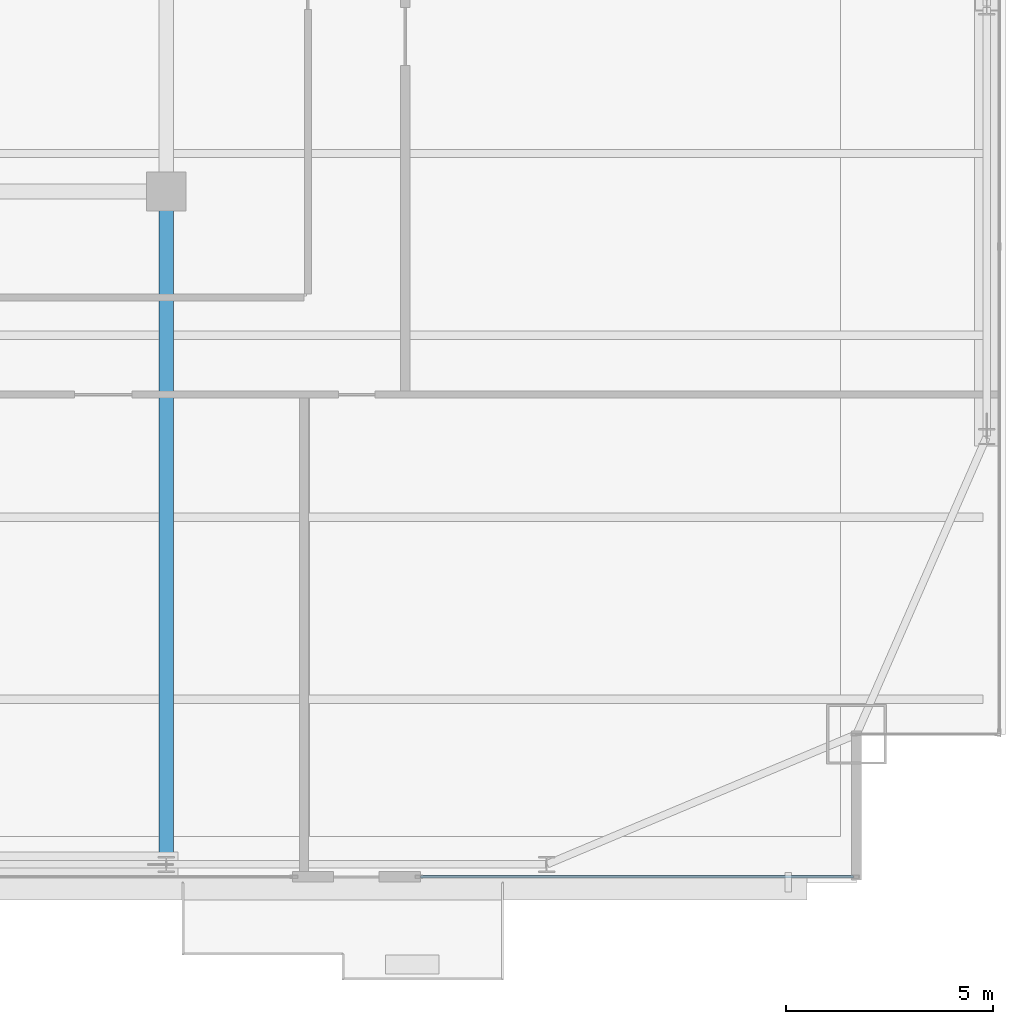
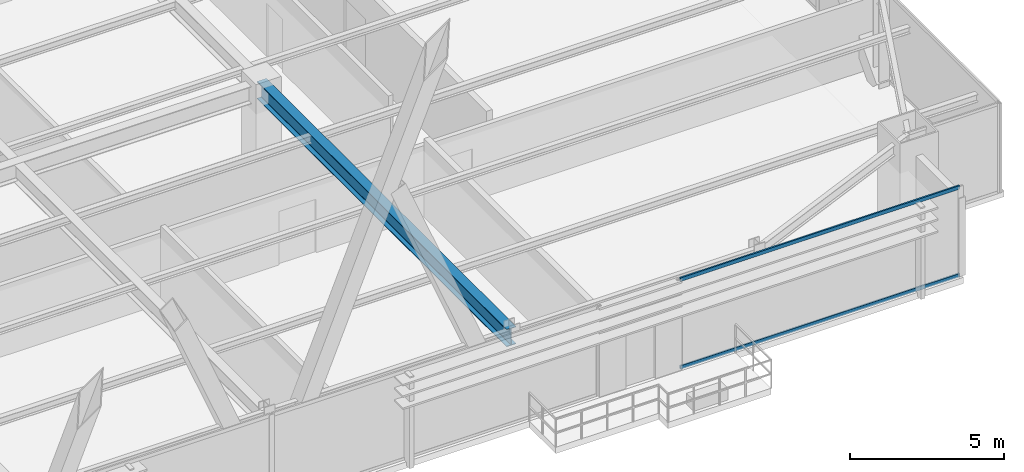
# One storey, part 15 of 38: 2 members, 1 beam, 1 element without a shape of its own.
"""IFC4 building model written with IfcOpenShell, lengths in metres."""

from ifc_helpers import new_model, si_unit, direction, frame, origin, origin_2d, place, context, subcontext, project, spatial, hollow_rectangle, i_section, extrude, source, transform, mapped, material, layer, layer_set, material_profile, profile_set, type_object, type_shapes, element, aggregate, save


model = new_model("IFC4")

# Units and contexts
model_context = context("Model", 3, precision=1e-05, world=origin(), true_north=direction((0.0, 1.0)))
body_context = subcontext(model_context, "Body", "Model", "MODEL_VIEW")
ifc_project = project(units=[si_unit("LENGTHUNIT", "METRE"), si_unit("AREAUNIT", "SQUARE_METRE"), si_unit("VOLUMEUNIT", "CUBIC_METRE"), si_unit("PLANEANGLEUNIT", "RADIAN"), si_unit("MASSUNIT", "GRAM", prefix="KILO")], contexts=[model_context])

# Site, building, storey
site_placement = place(None, origin())
site = spatial("IfcSite", under=ifc_project, at=site_placement, CompositionType="ELEMENT")
building_placement = place(site_placement, origin())
building = spatial("IfcBuilding", under=site, at=building_placement, Name="Varnel Quay Broadcast Tower", CompositionType="ELEMENT")
storey_placement = place(building_placement, frame((0.0, 0.0, 118.199951171875)))
storey = spatial("IfcBuildingStorey", under=building, at=storey_placement, Name="L28", CompositionType="ELEMENT", Elevation=118.199951171875)

# Beam
ifc_material_1 = material(Name="Structural Steel CSA G40.21 350W", Category="steel")
ifc_material_profile_1 = material_profile(ifc_material_1, i_section(OverallWidth=0.35498046875, OverallDepth=0.695068359375, WebThickness=0.015380859375, FlangeThickness=0.02490234375, FilletRadius=0.01806640625, at=origin_2d()), Name="W690X217")
ifc_profile_set_1 = profile_set([ifc_material_profile_1], Name="Structural Steel CSA G40.21 350W")
beam_type = type_object("IfcBeamType", Name="Girder_W690X217", PredefinedType="BEAM", material=ifc_profile_set_1)
shared_shape_1 = source(origin(), body_context, "Body", "SweptSolid", [
    extrude(i_section(OverallWidth=0.35498046875, OverallDepth=0.695068359375, WebThickness=0.015380859375, FlangeThickness=0.02490234375, FilletRadius=0.01806640625, at=origin_2d()), origin(), (0.0, 0.0, 1.0), 16.239990234375),
])
type_shapes(beam_type, [shared_shape_1])
beam_placement = place(storey_placement, frame((43.199951171875, 4.669921875, 3.20263671875), z_axis=(0.0, 1.0, 0.0), x_axis=(-1.0, 0.0, 0.0)))
element("IfcBeam", 1, at=beam_placement, inside=storey, type_object=beam_type, Name="L28 Primary Girder TC-S4-IC-02", PredefinedType="BEAM", context=body_context, shape_type="MappedRepresentation", body=[
    mapped(shared_shape_1, transform((0.0, 0.0, 0.0), x_axis=(1.0, 0.0, 0.0), y_axis=(0.0, 1.0, 0.0), z_axis=(0.0, 0.0, 1.0), scale=1.0)),
])

# Curtain wall, members
ifc_material_2 = material(Name="Anodised Bronze Aluminium 6063-T6", Category="aluminium")
ifc_layer = layer(ifc_material_2, 0.18994140625, Name="Anodised Bronze Aluminium 6063-T6")
ifc_layer_set = layer_set([ifc_layer], Name="Anodised Bronze Aluminium 6063-T6")
curtain_wall_type = type_object("IfcCurtainWallType", Name="CW_LowerTower", PredefinedType="NOTDEFINED", material=ifc_layer_set)
curtain_wall_placement = place(storey_placement, origin())
curtain_wall = element("IfcCurtainWall", 2, at=curtain_wall_placement, inside=storey, type_object=curtain_wall_type, Name="L28 South Unitised Curtain Wall 3", PredefinedType="NOTDEFINED")
ifc_material_profile_2 = material_profile(ifc_material_2, hollow_rectangle(XDim=0.06005859375, YDim=0.14501953125, WallThickness=0.00341796875, at=origin_2d()), Name="ALU60X145X3.5")
ifc_profile_set_2 = profile_set([ifc_material_profile_2], Name="Anodised Bronze Aluminium 6063-T6")
member_type = type_object("IfcMemberType", Name="Tran_CWS-02", PredefinedType="USERDEFINED", material=ifc_profile_set_2)
shared_shape_2 = source(origin(), body_context, "Body", "SweptSolid", [
    extrude(hollow_rectangle(XDim=0.06005859375, YDim=0.14501953125, WallThickness=0.00341796875, at=origin_2d()), origin(), (0.0, 0.0, 1.0), 10.47998046875),
])
type_shapes(member_type, [shared_shape_2])
member_1_placement = place(storey_placement, frame((49.35009765625, 4.35009765625, 0.030029296875), z_axis=(1.0, 0.0, 0.0), x_axis=(0.0, 1.0, 0.0)))
member_1 = element("IfcMember", 3, at=member_1_placement, type_object=member_type, Name="CWS-02 transom 1.1", ObjectType="TRANSOM", PredefinedType="USERDEFINED", context=body_context, shape_type="MappedRepresentation", body=[
    mapped(shared_shape_2, transform((0.0, 0.0, 0.0), x_axis=(1.0, 0.0, 0.0), y_axis=(0.0, 1.0, 0.0), z_axis=(0.0, 0.0, 1.0), scale=1.0)),
])
member_2_placement = place(storey_placement, frame((49.35009765625, 4.35009765625, 3.52001953125), z_axis=(1.0, 0.0, 0.0), x_axis=(0.0, 1.0, 0.0)))
member_2 = element("IfcMember", 4, at=member_2_placement, type_object=member_type, Name="CWS-02 transom 1.2", ObjectType="TRANSOM", PredefinedType="USERDEFINED", context=body_context, shape_type="MappedRepresentation", body=[
    mapped(shared_shape_2, transform((0.0, 0.0, 0.0), x_axis=(1.0, 0.0, 0.0), y_axis=(0.0, 1.0, 0.0), z_axis=(0.0, 0.0, 1.0), scale=1.0)),
])
aggregate(curtain_wall, [member_1, member_2])

save(model, "model.ifc")
